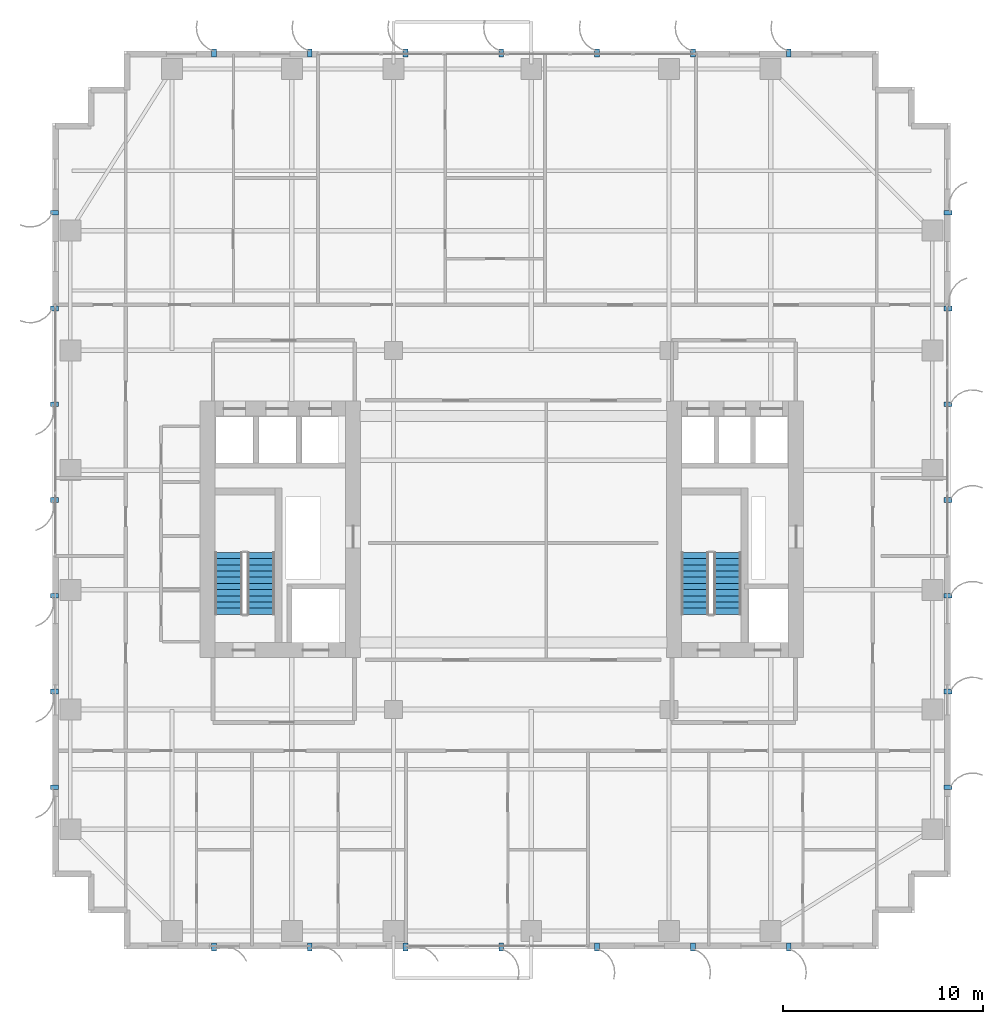
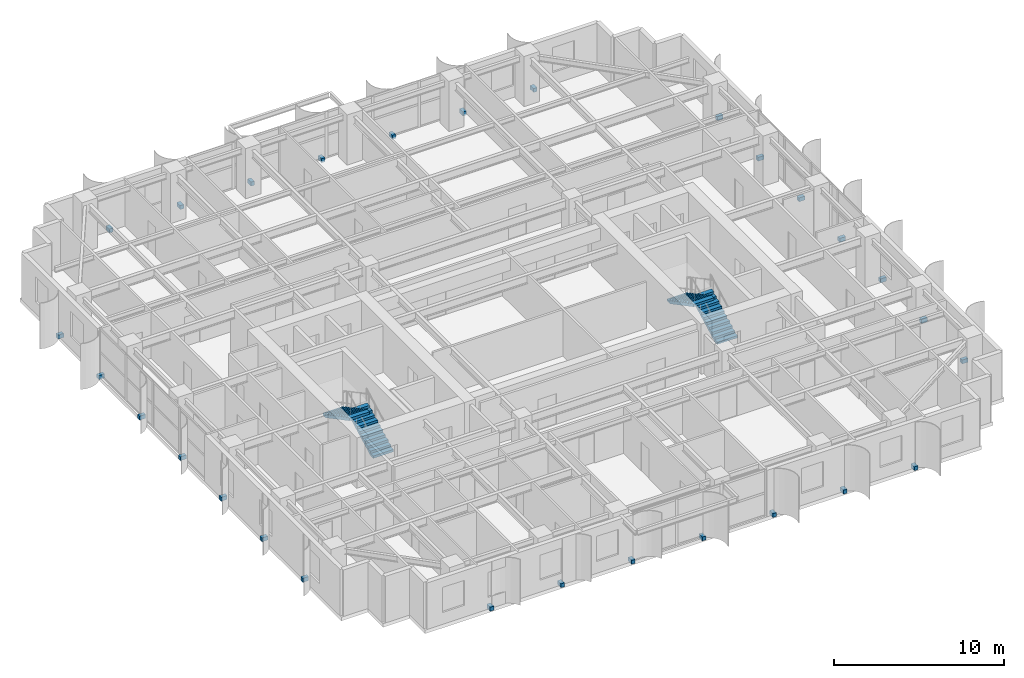
# One storey, part 22 of 25: 28 discrete accessories, 4 stair flights, 2 elements without a shape of their own.
"""IFC4 building model written with IfcOpenShell, lengths in metres."""

from ifc_helpers import new_model, si_unit, direction, frame, origin, origin_2d, place, context, subcontext, project, spatial, polyline, rectangle, outline, extrude, source, transform, mapped, material, type_object, element, aggregate, save


model = new_model("IFC4")

# Units and contexts
model_context = context("Model", 3, precision=1e-05, world=origin(), true_north=direction((0.0, 1.0)))
body_context = subcontext(model_context, "Body", "Model", "MODEL_VIEW")
ifc_project = project(units=[si_unit("LENGTHUNIT", "METRE"), si_unit("AREAUNIT", "SQUARE_METRE"), si_unit("VOLUMEUNIT", "CUBIC_METRE"), si_unit("PLANEANGLEUNIT", "RADIAN"), si_unit("MASSUNIT", "GRAM", prefix="KILO")], contexts=[model_context])

# Site, building, storey
site_placement = place(None, origin())
site = spatial("IfcSite", under=ifc_project, at=site_placement, CompositionType="ELEMENT")
building_placement = place(site_placement, origin())
building = spatial("IfcBuilding", under=site, at=building_placement, Name="Khoralis Quay Care Tower", CompositionType="ELEMENT")
storey_placement = place(building_placement, frame((0.0, 0.0, 134.10009765625)))
storey = spatial("IfcBuildingStorey", under=building, at=storey_placement, Name="L35", CompositionType="ELEMENT", Elevation=134.10009765625)

# Stair, stair flights
ifc_material_1 = material(Name="Precast concrete C45/55", Category="concrete")
stair_type = type_object("IfcStairType", Name="ST-TWR-DOGLEG-1400", PredefinedType="HALF_TURN_STAIR", material=ifc_material_1)
stair_1_placement = place(storey_placement, origin())
stair_1 = element("IfcStair", 1, at=stair_1_placement, inside=storey, type_object=stair_type, Name="L35 West Core Exit Stair ST-T1", PredefinedType="HALF_TURN_STAIR")
stair_flight_type = type_object("IfcStairFlightType", Name="SF-TWR-1400", PredefinedType="STRAIGHT", material=ifc_material_1)
shared_shape_1 = source(origin(), body_context, "Body", "SweptSolid", [
    extrude(outline(polyline([(0.0, 0.0), (0.0, 0.16357421875), (0.31005859375, 0.16357421875), (0.31005859375, 0.327392578125), (0.6201171875, 0.327392578125), (0.6201171875, 0.490966796875), (0.929931640625, 0.490966796875), (0.929931640625, 0.654541015625), (1.239990234375, 0.654541015625), (1.239990234375, 0.818115234375), (1.550048828125, 0.818115234375), (1.550048828125, 0.98193359375), (1.860107421875, 0.98193359375), (1.860107421875, 1.1455078125), (2.169921875, 1.1455078125), (2.169921875, 1.30908203125), (2.47998046875, 1.30908203125), (2.47998046875, 1.47265625), (2.7900390625, 1.47265625), (2.7900390625, 1.636474609375), (3.10009765625, 1.636474609375), (3.10009765625, 1.800048828125), (3.10009765625, 1.466796875), (0.321044921875, 0.0), (0.0, 0.0)])), frame((0.0, 0.68994140625, 0.0), z_axis=(0.0, -1.0, 0.0), x_axis=(1.0, 0.0, 0.0)), (0.0, 0.0, 1.0), 1.3798828125),
])
stair_flight_1_placement = place(storey_placement, frame((10.4599609375, 16.77001953125, 0.0), z_axis=(0.0, 0.0, 1.0), x_axis=(0.0, 1.0, 0.0)))
stair_flight_1 = element("IfcStairFlight", 2, at=stair_flight_1_placement, type_object=stair_flight_type, Name="ST-T1 flight 1", NumberOfRisers=11, NumberOfTreads=10, PredefinedType="STRAIGHT", RiserHeight=0.163636364, TreadLength=0.31, context=body_context, shape_type="MappedRepresentation", body=[
    mapped(shared_shape_1, transform((0.0, 0.0, 0.0), scale=1.0)),
])
stair_flight_2_placement = place(storey_placement, frame((8.840087890625, 19.8701171875, 1.7998046875), z_axis=(0.0, 0.0, 1.0), x_axis=(0.0, -1.0, 0.0)))
stair_flight_2 = element("IfcStairFlight", 3, at=stair_flight_2_placement, type_object=stair_flight_type, Name="ST-T1 flight 2", NumberOfRisers=11, NumberOfTreads=10, PredefinedType="STRAIGHT", RiserHeight=0.163636364, TreadLength=0.31, context=body_context, shape_type="MappedRepresentation", body=[
    mapped(shared_shape_1, transform((0.0, 0.0, 0.0), scale=1.0)),
])
aggregate(stair_1, [stair_flight_1, stair_flight_2])

stair_2_placement = place(storey_placement, origin())
stair_2 = element("IfcStair", 4, at=stair_2_placement, inside=storey, type_object=stair_type, Name="L35 East Core Exit Stair ST-T2", PredefinedType="HALF_TURN_STAIR")
stair_flight_3_placement = place(storey_placement, frame((33.830078125, 16.77001953125, 0.0), z_axis=(0.0, 0.0, 1.0), x_axis=(0.0, 1.0, 0.0)))
stair_flight_3 = element("IfcStairFlight", 5, at=stair_flight_3_placement, type_object=stair_flight_type, Name="ST-T2 flight 1", NumberOfRisers=11, NumberOfTreads=10, PredefinedType="STRAIGHT", RiserHeight=0.163636364, TreadLength=0.31, context=body_context, shape_type="MappedRepresentation", body=[
    mapped(shared_shape_1, transform((0.0, 0.0, 0.0), scale=1.0)),
])
stair_flight_4_placement = place(storey_placement, frame((32.2099609375, 19.8701171875, 1.7998046875), z_axis=(0.0, 0.0, 1.0), x_axis=(0.0, -1.0, 0.0)))
stair_flight_4 = element("IfcStairFlight", 6, at=stair_flight_4_placement, type_object=stair_flight_type, Name="ST-T2 flight 2", NumberOfRisers=11, NumberOfTreads=10, PredefinedType="STRAIGHT", RiserHeight=0.163636364, TreadLength=0.31, context=body_context, shape_type="MappedRepresentation", body=[
    mapped(shared_shape_1, transform((0.0, 0.0, 0.0), scale=1.0)),
])
aggregate(stair_2, [stair_flight_3, stair_flight_4])

# Discrete accessories
ifc_material_2 = material(Name="Brushed stainless steel", Category="steel")
discrete_accessory_type = type_object("IfcDiscreteAccessoryType", Name="ACC-FIN-BRACKET", PredefinedType="BRACKET", material=ifc_material_2)
shared_shape_2 = source(origin(), body_context, "Body", "SweptSolid", [
    extrude(rectangle(XDim=0.39990234375, YDim=0.239990234375, at=origin_2d()), origin(), (0.0, 0.0, 1.0), 0.280029296875),
])
for number, where, z_axis, x_axis, name in (
    (7, (8.10009765625, 0.110107421875, -0.1201171875), (0.0, 0.0, 1.0), (0.0, -1.0, 0.0), "L35 Solar Fin Bracket P1E0-01"),
    (8, (12.89990234375, 0.110107421875, -0.1201171875), (0.0, 0.0, 1.0), (0.0, -1.0, 0.0), "L35 Solar Fin Bracket P1E0-02"),
    (9, (17.699951171875, 0.110107421875, -0.1201171875), (0.0, 0.0, 1.0), (0.0, -1.0, 0.0), "L35 Solar Fin Bracket P1E0-03"),
    (10, (22.5, 0.110107421875, -0.1201171875), (0.0, 0.0, 1.0), (0.0, -1.0, 0.0), "L35 Solar Fin Bracket P1E0-04"),
    (11, (27.300048828125, 0.110107421875, -0.1201171875), (0.0, 0.0, 1.0), (0.0, -1.0, 0.0), "L35 Solar Fin Bracket P1E0-05"),
    (12, (32.10009765625, 0.110107421875, -0.1201171875), (0.0, 0.0, 1.0), (0.0, -1.0, 0.0), "L35 Solar Fin Bracket P1E0-06"),
    (13, (36.89990234375, 0.110107421875, -0.1201171875), (0.0, 0.0, 1.0), (0.0, -1.0, 0.0), "L35 Solar Fin Bracket P1E0-07"),
    (14, (44.889892578125, 8.10009765625, -0.1201171875), (0.0, 0.0, 1.0), (1.0, 0.0, 0.0), "L35 Solar Fin Bracket P1E5-01"),
    (15, (44.889892578125, 12.89990234375, -0.1201171875), (0.0, 0.0, 1.0), (1.0, 0.0, 0.0), "L35 Solar Fin Bracket P1E5-02"),
    (16, (44.889892578125, 17.699951171875, -0.1201171875), (0.0, 0.0, 1.0), (1.0, 0.0, 0.0), "L35 Solar Fin Bracket P1E5-03"),
    (17, (44.889892578125, 22.5, -0.1201171875), (0.0, 0.0, 1.0), (1.0, 0.0, 0.0), "L35 Solar Fin Bracket P1E5-04"),
    (18, (44.889892578125, 27.300048828125, -0.1201171875), (0.0, 0.0, 1.0), (1.0, 0.0, 0.0), "L35 Solar Fin Bracket P1E5-05"),
    (19, (44.889892578125, 32.10009765625, -0.1201171875), (0.0, 0.0, 1.0), (1.0, 0.0, 0.0), "L35 Solar Fin Bracket P1E5-06"),
    (20, (44.889892578125, 36.89990234375, -0.1201171875), (0.0, 0.0, 1.0), (1.0, 0.0, 0.0), "L35 Solar Fin Bracket P1E5-07"),
    (21, (36.89990234375, 44.889892578125, -0.1201171875), (0.0, 0.0, 1.0), (0.0, 1.0, 0.0), "L35 Solar Fin Bracket P1E10-01"),
    (22, (32.10009765625, 44.889892578125, -0.1201171875), (0.0, 0.0, 1.0), (0.0, 1.0, 0.0), "L35 Solar Fin Bracket P1E10-02"),
    (23, (27.300048828125, 44.889892578125, -0.1201171875), (0.0, 0.0, 1.0), (0.0, 1.0, 0.0), "L35 Solar Fin Bracket P1E10-03"),
    (24, (22.5, 44.889892578125, -0.1201171875), (0.0, 0.0, 1.0), (0.0, 1.0, 0.0), "L35 Solar Fin Bracket P1E10-04"),
    (25, (17.699951171875, 44.889892578125, -0.1201171875), (0.0, 0.0, 1.0), (0.0, 1.0, 0.0), "L35 Solar Fin Bracket P1E10-05"),
    (26, (12.89990234375, 44.889892578125, -0.1201171875), (0.0, 0.0, 1.0), (0.0, 1.0, 0.0), "L35 Solar Fin Bracket P1E10-06"),
    (27, (8.10009765625, 44.889892578125, -0.1201171875), (0.0, 0.0, 1.0), (0.0, 1.0, 0.0), "L35 Solar Fin Bracket P1E10-07"),
    (28, (0.110107421875, 36.89990234375, -0.1201171875), (0.0, 0.0, 1.0), (-1.0, 0.0, 0.0), "L35 Solar Fin Bracket P1E15-01"),
    (29, (0.110107421875, 32.10009765625, -0.1201171875), (0.0, 0.0, 1.0), (-1.0, 0.0, 0.0), "L35 Solar Fin Bracket P1E15-02"),
    (30, (0.110107421875, 27.300048828125, -0.1201171875), (0.0, 0.0, 1.0), (-1.0, 0.0, 0.0), "L35 Solar Fin Bracket P1E15-03"),
    (31, (0.110107421875, 22.5, -0.1201171875), (0.0, 0.0, 1.0), (-1.0, 0.0, 0.0), "L35 Solar Fin Bracket P1E15-04"),
    (32, (0.110107421875, 17.699951171875, -0.1201171875), (0.0, 0.0, 1.0), (-1.0, 0.0, 0.0), "L35 Solar Fin Bracket P1E15-05"),
    (33, (0.110107421875, 12.89990234375, -0.1201171875), (0.0, 0.0, 1.0), (-1.0, 0.0, 0.0), "L35 Solar Fin Bracket P1E15-06"),
    (34, (0.110107421875, 8.10009765625, -0.1201171875), (0.0, 0.0, 1.0), (-1.0, 0.0, 0.0), "L35 Solar Fin Bracket P1E15-07"),
):
    element("IfcDiscreteAccessory", number, at=place(storey_placement, frame(where, z_axis=z_axis, x_axis=x_axis)), inside=storey, type_object=discrete_accessory_type, Name=name, PredefinedType="BRACKET", context=body_context, shape_type="MappedRepresentation", body=[
        mapped(shared_shape_2, transform((0.0, 0.0, 0.0), scale=1.0)),
    ])

save(model, "model.ifc")
